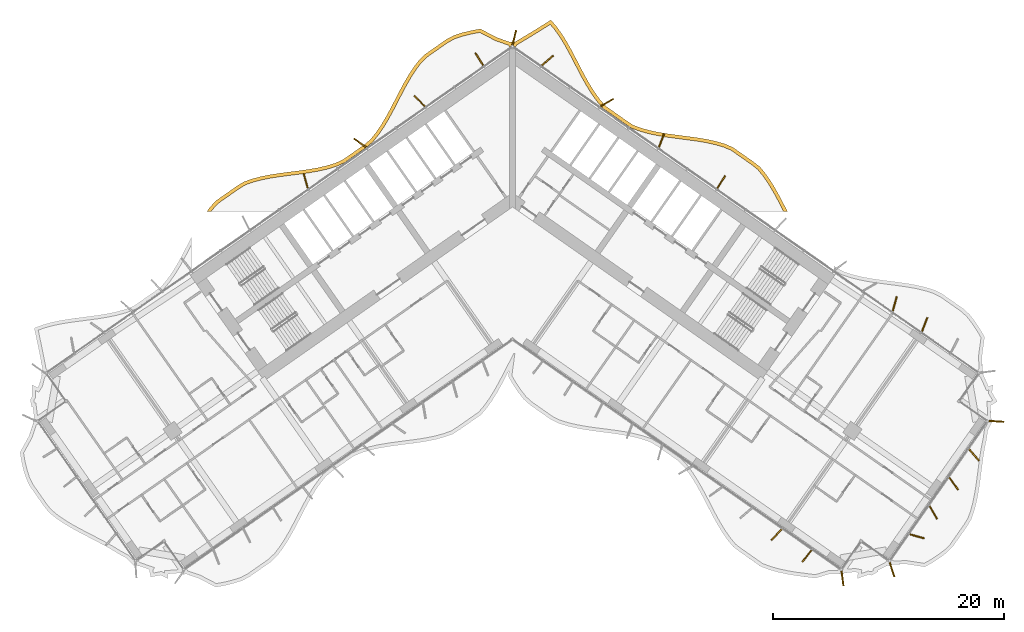
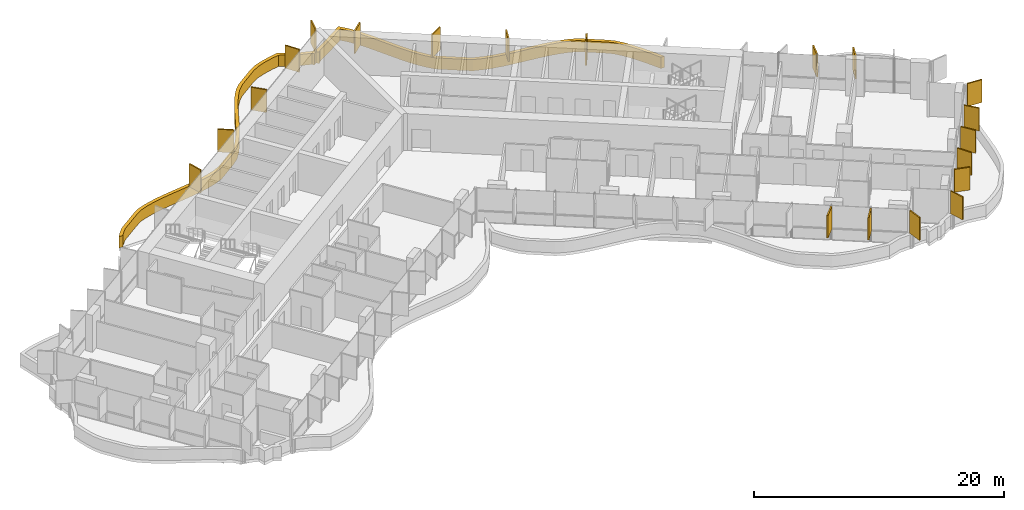
# One storey, part 22 of 23: 21 shading devices.
"""IFC4 building model written with IfcOpenShell, lengths in metres."""

from ifc_helpers import new_model, si_unit, direction, frame, origin, origin_2d, place, context, subcontext, project, spatial, polyline, rectangle, outline, extrude, material, layer, layer_set, type_object, element, save


model = new_model("IFC4")

# Units and contexts
model_context = context("Model", 3, precision=1e-05, world=origin(), true_north=direction((0.0, 1.0)))
body_context = subcontext(model_context, "Body", "Model", "MODEL_VIEW")
ifc_project = project(units=[si_unit("LENGTHUNIT", "METRE"), si_unit("AREAUNIT", "SQUARE_METRE"), si_unit("VOLUMEUNIT", "CUBIC_METRE"), si_unit("PLANEANGLEUNIT", "RADIAN"), si_unit("MASSUNIT", "GRAM", prefix="KILO")], contexts=[model_context])

# Site, building, storey
site_placement = place(None, origin())
site = spatial("IfcSite", under=ifc_project, at=site_placement, CompositionType="ELEMENT")
building_placement = place(site_placement, origin())
building = spatial("IfcBuilding", under=site, at=building_placement, Name="Tel Ilan Convention Tower", CompositionType="ELEMENT")
storey_placement = place(building_placement, frame((0.0, 0.0, 101.300048828125)))
storey = spatial("IfcBuildingStorey", under=building, at=storey_placement, Name="L21", CompositionType="ELEMENT", Elevation=101.300048828125)

# Shading devices
ifc_material_1 = material(Name="Aluminium, bronze anodised", Category="aluminium")
ifc_layer_1 = layer(ifc_material_1, 0.1201171875)
ifc_layer_set_1 = layer_set([ifc_layer_1], Name="FIN BRONZE 1300x120")
shading_device_type_1 = type_object("IfcShadingDeviceType", Name="FIN BRONZE 1300x120", PredefinedType="USERDEFINED", material=ifc_layer_set_1)
for number, where, z_axis, x_axis, name in (
    (1, (18.1064453125, 0.935302734375, 1.10009765625), (0.0, 0.0, 1.0), (0.533204432798, 0.845986425922, 0.0), "FIN"),
    (2, (12.9267578125, 4.553955078125, 1.10009765625), (0.0, 0.0, 1.0), (0.360177724803, 0.932883704733, 0.0), "FIN"),
    (3, (8.18798828125, 7.83447265625, 1.10009765625), (0.0, 0.0, 1.0), (0.866025403784, 0.5, 0.0), "FIN"),
    (4, (3.03466796875, 11.48046875, 1.10009765625), (0.0, 0.0, 1.0), (0.753435896329, 0.657521368568, 0.0), "FIN"),
    (5, (0.156005859375, 13.463134765625, 1.10009765625), (0.0, 0.0, 1.0), (0.240039791311, 0.970763049661, 0.0), "FIN"),
    (6, (-2.884765625, 11.593505859375, 1.10009765625), (0.0, 0.0, 1.0), (-0.533204432798, 0.845986425922, 0.0), "FIN"),
    (7, (-8.0615234375, 7.968505859375, 1.10009765625), (0.0, 0.0, 1.0), (-0.686241637865, 0.727373641577, 0.0), "FIN"),
    (8, (-13.224609375, 4.330078125, 1.10009765625), (0.0, 0.0, 1.0), (-0.813552070258, 0.581492071294, 0.0), "FIN"),
    (9, (-17.94384765625, 1.025634765625, 1.10009765625), (0.0, 0.0, 1.0), (-0.268172612768, 0.963370878614, 0.0), "FIN"),
    (10, (22.90478515625, -29.6513671875, 1.10009765625), (0.0, 0.0, 1.0), (-0.686241637865, -0.727373641577, 0.0), "FIN"),
    (11, (25.551025390625, -31.504638671875, 1.10009765625), (0.0, 0.0, 1.0), (-0.612600545196, -0.790392669516, 0.0), "FIN"),
    (12, (28.627685546875, -33.453125, 1.10009765625), (0.0, 0.0, 1.0), (0.125718016748, -0.992066016082, 0.0), "FIN"),
    (13, (32.9296875, -32.6943359375, 1.10009765625), (0.0, 0.0, 1.0), (0.314544756146, -0.949242643575, 0.0), "FIN"),
    (14, (35.086669921875, -29.79736328125, 1.10009765625), (0.0, 0.0, 1.0), (0.963370878614, -0.268172612768, 0.0), "FIN"),
    (15, (36.5107421875, -27.7314453125, 1.10009765625), (0.0, 0.0, 1.0), (0.5, -0.866025403784, 0.0), "FIN"),
    (16, (38.280029296875, -25.23681640625, 1.10009765625), (0.0, 0.0, 1.0), (0.581492071294, -0.813552070258, 0.0), "FIN"),
    (17, (40.045654296875, -22.737060546875, 1.10009765625), (0.0, 0.0, 1.0), (0.657521368568, -0.753435896329, 0.0), "FIN"),
    (18, (41.98974609375, -19.82373046875, 1.10009765625), (0.0, 0.0, 1.0), (0.997697449973, -0.067821812994, 0.0), "FIN"),
    (19, (35.759033203125, -11.433349609375, 1.10009765625), (0.0, 0.0, 1.0), (0.360177724803, 0.932883704733, 0.0), "FIN"),
    (20, (33.16552734375, -9.632568359375, 1.10009765625), (0.0, 0.0, 1.0), (0.268172612768, 0.963370878614, 0.0), "FIN"),
):
    element("IfcShadingDevice", number, at=place(storey_placement, frame(where, z_axis=z_axis, x_axis=x_axis)), inside=storey, type_object=shading_device_type_1, Name=name, ObjectType="FIN", PredefinedType="USERDEFINED", context=body_context, shape_type="SweptSolid", body=[
        extrude(rectangle(XDim=1.300048828125, YDim=0.1201171875, at=origin_2d()), origin(), (0.0, 0.0, 1.0), 2.219970703125),
    ])
ifc_material_2 = material(Name="Aluminium, bronze anodised", Category="aluminium")
ifc_layer_2 = layer(ifc_material_2, 0.300048828125)
ifc_layer_set_2 = layer_set([ifc_layer_2], Name="LOUVRE BAND 300x1100")
shading_device_type_2 = type_object("IfcShadingDeviceType", Name="LOUVRE BAND 300x1100", PredefinedType="USERDEFINED", material=ifc_layer_set_2)
shading_device_placement = place(storey_placement, origin())
element("IfcShadingDevice", 21, at=shading_device_placement, inside=storey, type_object=shading_device_type_2, Name="LOUVRE BAND 19.02", ObjectType="LOUVRE", PredefinedType="USERDEFINED", context=body_context, shape_type="SweptSolid", body=[
    extrude(outline(polyline([(-26.25927734375, -1.2568359375), (-26.53369140625, -1.631591796875), (-26.161865234375, -1.631591796875), (-26.0263671875, -1.44677734375), (-25.550048828125, -0.921630859375), (-23.767333984375, 0.32666015625), (-23.172119140625, 0.69384765625), (-22.488037109375, 0.931884765625), (-21.74560546875, 1.12646484375), (-20.9677734375, 1.28076171875), (-20.1630859375, 1.405517578125), (-18.510009765625, 1.619140625), (-17.68115234375, 1.73583984375), (-16.864013671875, 1.8779296875), (-16.0673828125, 2.058837890625), (-15.293212890625, 2.292236328125), (-14.563232421875, 2.620849609375), (-12.711669921875, 3.91748046875), (-12.110595703125, 4.42333984375), (-11.60400390625, 5.05859375), (-11.148193359375, 5.729736328125), (-10.724853515625, 6.43798828125), (-10.325439453125, 7.1708984375), (-9.557861328125, 8.65576171875), (-9.169921875, 9.37939453125), (-8.76708984375, 10.072509765625), (-8.3408203125, 10.72265625), (-7.890380859375, 11.3125), (-7.3837890625, 11.798583984375), (-5.60009765625, 13.047607421875), (-4.982177734375, 13.37744140625), (-4.2822265625, 13.604248046875), (-3.5302734375, 13.78759765625), (-2.8408203125, 13.914306640625), (-1.48388671875, 13.200927734375), (-0.362060546875, 12.812255859375), (-0.24609375, 12.646728515625), (0.0, 12.818115234375), (0.24609375, 12.646728515625), (0.38134765625, 12.839599609375), (1.88916015625, 13.747314453125), (3.271728515625, 14.607177734375), (3.593017578125, 14.232666015625), (4.037353515625, 13.614990234375), (4.454345703125, 12.947998046875), (4.8505859375, 12.2421875), (6.0068359375, 10.025390625), (6.4140625, 9.2998046875), (6.84814453125, 8.603759765625), (7.318115234375, 7.94921875), (7.845947265625, 7.3291015625), (9.697021484375, 6.0283203125), (10.3486328125, 5.60009765625), (11.1142578125, 5.323974609375), (11.8935546875, 5.112060546875), (12.69873046875, 4.94677734375), (13.521240234375, 4.815673828125), (15.99755859375, 4.4873046875), (16.79345703125, 4.35302734375), (17.559326171875, 4.18505859375), (18.284423828125, 3.97412109375), (18.94091796875, 3.7060546875), (20.723876953125, 2.457763671875), (21.272216796875, 2.02392578125), (21.729736328125, 1.462646484375), (22.166748046875, 0.83154296875), (22.57763671875, 0.153564453125), (22.97021484375, -0.56005859375), (23.52587890625, -1.631591796875), (23.86328125, -1.631591796875), (23.23486328125, -0.41845703125), (22.837646484375, 0.303466796875), (22.418701171875, 0.99462890625), (21.9697265625, 1.64306640625), (21.484130859375, 2.239013671875), (20.903076171875, 2.698486328125), (19.08544921875, 3.97119140625), (18.38330078125, 4.2578125), (17.63330078125, 4.47607421875), (16.8505859375, 4.647705078125), (16.043212890625, 4.783935546875), (13.564697265625, 5.112548828125), (12.75244140625, 5.241943359375), (11.963134765625, 5.404052734375), (11.20458984375, 5.610107421875), (10.483642578125, 5.8701171875), (9.865478515625, 6.276611328125), (8.050048828125, 7.55224609375), (7.5546875, 8.134033203125), (7.09765625, 8.770751953125), (6.672119140625, 9.452880859375), (6.2705078125, 10.168701171875), (5.1142578125, 12.385498046875), (4.71240234375, 13.100830078125), (4.28662109375, 13.7822265625), (3.8291015625, 14.418212890625), (3.331787109375, 14.997802734375), (1.732666015625, 14.003173828125), (0.168701171875, 13.059326171875), (0.11474609375, 13.09521484375), (0.0, 13.1181640625), (-0.11474609375, 13.09521484375), (-0.168701171875, 13.059326171875), (-1.3642578125, 13.47705078125), (-2.79296875, 14.228271484375), (-3.593017578125, 14.0810546875), (-4.364013671875, 13.89306640625), (-5.099853515625, 13.654541015625), (-5.75732421875, 13.3037109375), (-7.57470703125, 12.031005859375), (-8.11474609375, 11.512939453125), (-8.585693359375, 10.896240234375), (-9.022216796875, 10.230224609375), (-9.431884765625, 9.52587890625), (-9.823486328125, 8.79541015625), (-10.59033203125, 7.311767578125), (-10.985595703125, 6.586669921875), (-11.401123046875, 5.89111328125), (-11.845703125, 5.236572265625), (-12.326416015625, 4.633544921875), (-12.89453125, 4.155517578125), (-14.712158203125, 2.8828125), (-15.398681640625, 2.573974609375), (-16.14404296875, 2.34912109375), (-16.923095703125, 2.172119140625), (-17.727783203125, 2.0322265625), (-18.5498046875, 1.91650390625), (-20.20556640625, 1.70263671875), (-21.02001953125, 1.576171875), (-21.812744140625, 1.4189453125), (-22.57568359375, 1.218994140625), (-23.301513671875, 0.96630859375), (-23.93212890625, 0.577392578125), (-25.749755859375, -0.695068359375), (-26.25927734375, -1.2568359375)])), origin(), (0.0, 0.0, 1.0), 1.099853515625),
])

save(model, "model.ifc")
